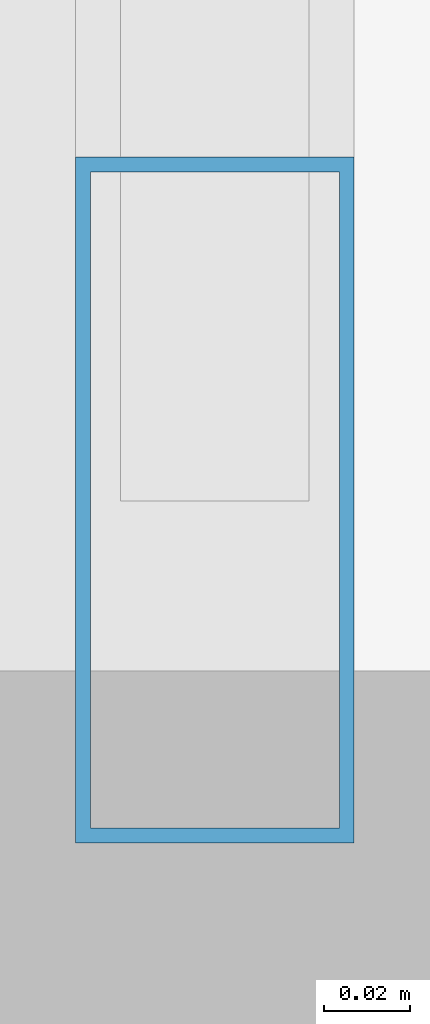
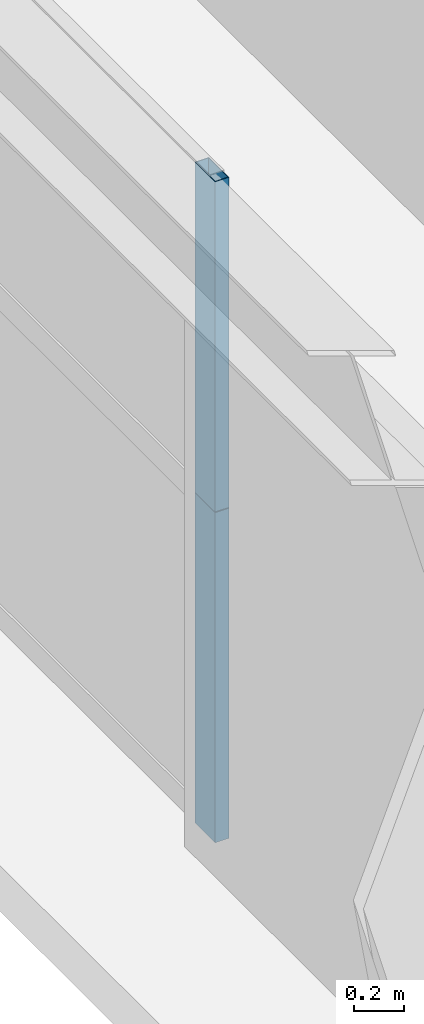
# One storey, part 6 of 36: 2 members, 1 element without a shape of its own.
"""IFC4 building model written with IfcOpenShell, lengths in metres."""

from ifc_helpers import new_model, si_unit, direction, frame, origin, origin_2d, place, context, subcontext, project, spatial, hollow_rectangle, extrude, source, transform, mapped, material, layer, layer_set, material_profile, profile_set, type_object, element, aggregate, save


model = new_model("IFC4")

# Units and contexts
model_context = context("Model", 3, precision=1e-05, world=origin(), true_north=direction((0.0, 1.0)))
body_context = subcontext(model_context, "Body", "Model", "MODEL_VIEW")
ifc_project = project(units=[si_unit("LENGTHUNIT", "METRE"), si_unit("AREAUNIT", "SQUARE_METRE"), si_unit("VOLUMEUNIT", "CUBIC_METRE"), si_unit("PLANEANGLEUNIT", "RADIAN"), si_unit("MASSUNIT", "GRAM", prefix="KILO"), si_unit("THERMODYNAMICTEMPERATUREUNIT", "KELVIN"), si_unit("POWERUNIT", "WATT")], contexts=[model_context])

# Site, building, storey
site_placement = place(None, origin())
site = spatial("IfcSite", under=ifc_project, at=site_placement, CompositionType="ELEMENT")
building_placement = place(site_placement, origin())
building = spatial("IfcBuilding", under=site, at=building_placement, Name="Yuzanri Waterfront Tower", CompositionType="ELEMENT")
storey_placement = place(building_placement, frame((0.0, 0.0, 255.60009765625)))
storey = spatial("IfcBuildingStorey", under=building, at=storey_placement, Name="L68", CompositionType="ELEMENT", Elevation=255.60009765625)

# Curtain wall, members
ifc_material_1 = material(Name="Anodized Architectural Bronze", Category="metal")
ifc_layer = layer(ifc_material_1, 0.159912109375)
ifc_layer_set = layer_set([ifc_layer], Name="Anodized Architectural Bronze")
curtain_wall_type = type_object("IfcCurtainWallType", Name="Anodized Bronze Mid-Rise Residential Acoustic Unitized Curtain Wall 7200", PredefinedType="NOTDEFINED", material=ifc_layer_set)
curtain_wall_placement = place(storey_placement, origin())
curtain_wall = element("IfcCurtainWall", 1, at=curtain_wall_placement, inside=storey, type_object=curtain_wall_type, Name="L68 Curtain Wall CW-L68-WL", PredefinedType="NOTDEFINED")
ifc_material_2 = material(Name="Anodized Architectural Bronze", Category="metal")
ifc_material_profile = material_profile(ifc_material_2, hollow_rectangle(XDim=0.06494140625, YDim=0.159912109375, WallThickness=0.00341796875, at=origin_2d()), Name="CWM 65x160")
ifc_profile_set = profile_set([ifc_material_profile], Name="Anodized Architectural Bronze")
member_type = type_object("IfcMemberType", Name="Anodized Bronze Upper-Zone Curtain-Wall Mullion 65x160", PredefinedType="MULLION", material=ifc_profile_set)
shared_shape_1 = source(origin(), body_context, "Body", "SweptSolid", [
    extrude(hollow_rectangle(XDim=0.06494140625, YDim=0.159912109375, WallThickness=0.00341796875, at=origin_2d()), origin(), (0.0, 0.0, 1.0), 1.597900390625),
])
member_1_placement = place(storey_placement, frame((16.550048828125, 12.590087890625, 0.0), z_axis=(0.0, 0.0, 1.0), x_axis=(1.0, 0.0, 0.0)))
member_1 = element("IfcMember", 2, at=member_1_placement, type_object=member_type, Name="CW-L68-WL Lower Mullion 00", PredefinedType="MULLION", context=body_context, shape_type="MappedRepresentation", body=[
    mapped(shared_shape_1, transform((0.0, 0.0, 0.0), scale=1.0)),
])
shared_shape_2 = source(origin(), body_context, "Body", "SweptSolid", [
    extrude(hollow_rectangle(XDim=0.06494140625, YDim=0.159912109375, WallThickness=0.00341796875, at=origin_2d()), origin(), (0.0, 0.0, 1.0), 1.59814453125),
])
member_2_placement = place(storey_placement, frame((16.550048828125, 12.590087890625, 1.601806640625), z_axis=(0.0, 0.0, 1.0), x_axis=(1.0, 0.0, 0.0)))
member_2 = element("IfcMember", 3, at=member_2_placement, type_object=member_type, Name="CW-L68-WL Upper Mullion 00", PredefinedType="MULLION", context=body_context, shape_type="MappedRepresentation", body=[
    mapped(shared_shape_2, transform((0.0, 0.0, 0.0), scale=1.0)),
])
aggregate(curtain_wall, [member_1, member_2])

save(model, "model.ifc")
